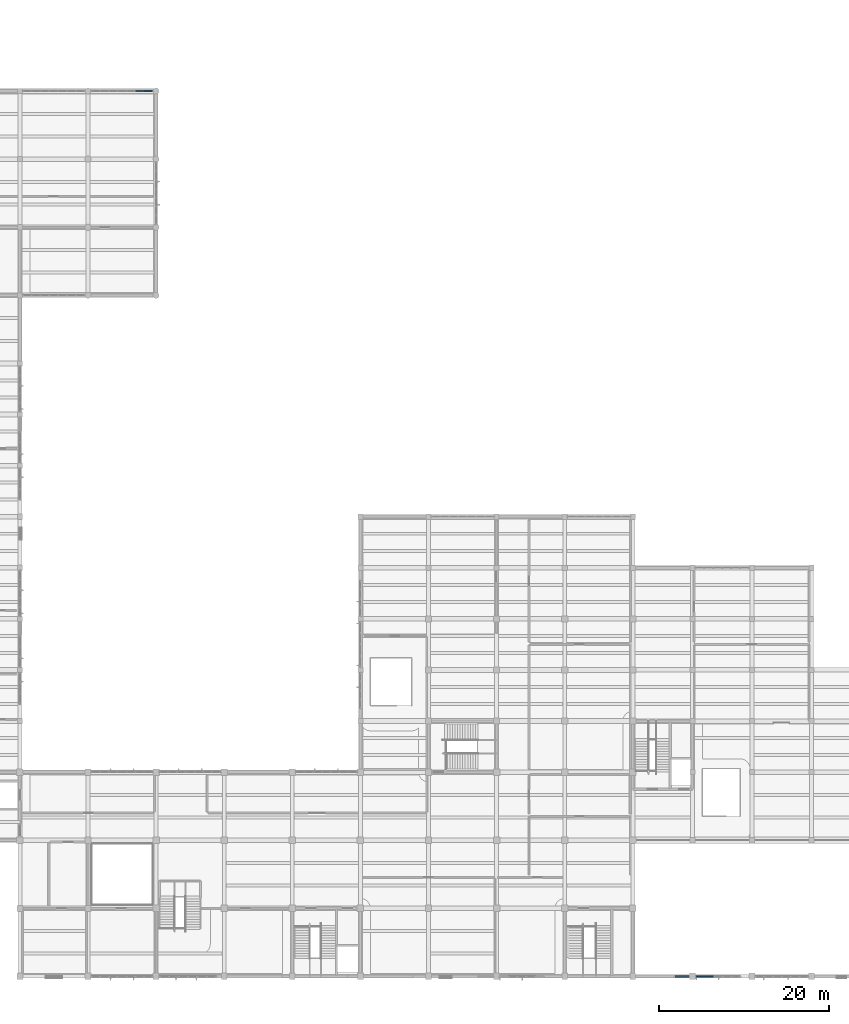
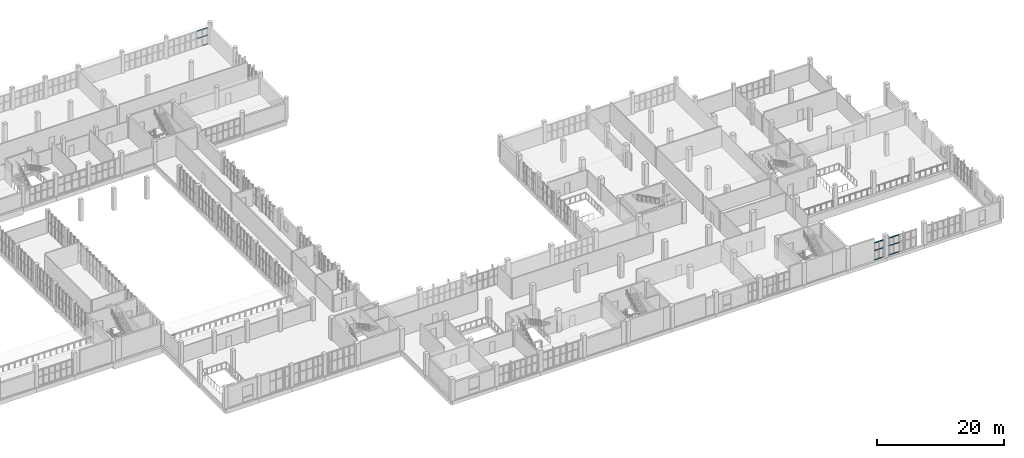
# One storey, part 43 of 85: 17 members, 3 elements without a shape of their own.
"""IFC4 building model written with IfcOpenShell, lengths in metres."""

from ifc_helpers import new_model, si_unit, direction, frame, origin, origin_2d, place, context, subcontext, project, spatial, rectangle, extrude, material, layer, layer_set, material_profile, profile_set, type_object, element, aggregate, save


model = new_model("IFC4")

# Units and contexts
model_context = context("Model", 3, precision=1e-05, world=origin(), true_north=direction((0.0, 1.0)))
body_context = subcontext(model_context, "Body", "Model", "MODEL_VIEW")
ifc_project = project(units=[si_unit("LENGTHUNIT", "METRE"), si_unit("AREAUNIT", "SQUARE_METRE"), si_unit("VOLUMEUNIT", "CUBIC_METRE"), si_unit("PLANEANGLEUNIT", "RADIAN"), si_unit("MASSUNIT", "GRAM", prefix="KILO")], contexts=[model_context])

# Site, building, storey
site_placement = place(None, origin())
site = spatial("IfcSite", under=ifc_project, at=site_placement, CompositionType="ELEMENT")
building_placement = place(site_placement, origin())
building = spatial("IfcBuilding", under=site, at=building_placement, Name="Solvane Community Centre", CompositionType="ELEMENT")
storey_placement = place(building_placement, frame((0.0, 0.0, 5.39990234375)))
storey = spatial("IfcBuildingStorey", under=building, at=storey_placement, Name="L01", CompositionType="ELEMENT", Elevation=5.39990234375)

# Curtain wall, members
ifc_material = material(Name="Anodised bronze aluminium AW-6063 T6", Category="aluminium")
ifc_layer_1 = layer(ifc_material, 0.18994140625)
ifc_layer_set_1 = layer_set([ifc_layer_1], Name="Anodised bronze aluminium AW-6063 T6")
curtain_wall_type_1 = type_object("IfcCurtainWallType", Name="Boulevard Bronze Vision Curtain Wall [52x33dm]", PredefinedType="NOTDEFINED", material=ifc_layer_set_1)
curtain_wall_1_placement = place(storey_placement, origin())
curtain_wall_1 = element("IfcCurtainWall", 1, at=curtain_wall_1_placement, inside=storey, type_object=curtain_wall_type_1, Name="Curtain Wall CW-L01-1526_60-074", PredefinedType="NOTDEFINED")
ifc_material_profile = material_profile(ifc_material, rectangle(XDim=0.14990234375, YDim=0.06005859375, at=origin_2d()), Name="CW-T 60x150")
ifc_profile_set = profile_set([ifc_material_profile], Name="Anodised bronze aluminium AW-6063 T6")
member_type = type_object("IfcMemberType", Name="Boulevard Transom 60x150", PredefinedType="USERDEFINED", material=ifc_profile_set)
member_1_placement = place(storey_placement, frame((149.453125, 6.0, 0.030029296875), z_axis=(-1.0, 0.0, 0.0), x_axis=(0.0, -1.0, 0.0)))
member_1 = element("IfcMember", 2, at=member_1_placement, type_object=member_type, Name="CW02-52x33 transom 4.1", ObjectType="TRANSOM", PredefinedType="USERDEFINED", context=body_context, shape_type="SweptSolid", body=[
    extrude(rectangle(XDim=0.14990234375, YDim=0.06005859375, at=origin_2d()), origin(), (0.0, 0.0, 1.0), 0.984130859375),
])
member_2_placement = place(storey_placement, frame((149.453125, 6.0, 1.822998046875), z_axis=(-1.0, 0.0, 0.0), x_axis=(0.0, -1.0, 0.0)))
member_2 = element("IfcMember", 3, at=member_2_placement, type_object=member_type, Name="CW02-52x33 transom 4.2", ObjectType="TRANSOM", PredefinedType="USERDEFINED", context=body_context, shape_type="SweptSolid", body=[
    extrude(rectangle(XDim=0.14990234375, YDim=0.06005859375, at=origin_2d()), origin(), (0.0, 0.0, 1.0), 0.984130859375),
])
member_3_placement = place(storey_placement, frame((149.453125, 6.0, 3.28515625), z_axis=(-1.0, 0.0, 0.0), x_axis=(0.0, -1.0, 0.0)))
member_3 = element("IfcMember", 4, at=member_3_placement, type_object=member_type, Name="CW02-52x33 transom 4.3", ObjectType="TRANSOM", PredefinedType="USERDEFINED", context=body_context, shape_type="SweptSolid", body=[
    extrude(rectangle(XDim=0.14990234375, YDim=0.06005859375, at=origin_2d()), origin(), (0.0, 0.0, 1.0), 0.984130859375),
])
member_4_placement = place(storey_placement, frame((148.4091796875, 6.0, 0.030029296875), z_axis=(-1.0, 0.0, 0.0), x_axis=(0.0, -1.0, 0.0)))
member_4 = element("IfcMember", 5, at=member_4_placement, type_object=member_type, Name="CW02-52x33 transom 5.1", ObjectType="TRANSOM", PredefinedType="USERDEFINED", context=body_context, shape_type="SweptSolid", body=[
    extrude(rectangle(XDim=0.14990234375, YDim=0.06005859375, at=origin_2d()), origin(), (0.0, 0.0, 1.0), 0.9541015625),
])
member_5_placement = place(storey_placement, frame((148.4091796875, 6.0, 1.822998046875), z_axis=(-1.0, 0.0, 0.0), x_axis=(0.0, -1.0, 0.0)))
member_5 = element("IfcMember", 6, at=member_5_placement, type_object=member_type, Name="CW02-52x33 transom 5.2", ObjectType="TRANSOM", PredefinedType="USERDEFINED", context=body_context, shape_type="SweptSolid", body=[
    extrude(rectangle(XDim=0.14990234375, YDim=0.06005859375, at=origin_2d()), origin(), (0.0, 0.0, 1.0), 0.9541015625),
])
member_6_placement = place(storey_placement, frame((148.4091796875, 6.0, 3.28515625), z_axis=(-1.0, 0.0, 0.0), x_axis=(0.0, -1.0, 0.0)))
member_6 = element("IfcMember", 7, at=member_6_placement, type_object=member_type, Name="CW02-52x33 transom 5.3", ObjectType="TRANSOM", PredefinedType="USERDEFINED", context=body_context, shape_type="SweptSolid", body=[
    extrude(rectangle(XDim=0.14990234375, YDim=0.06005859375, at=origin_2d()), origin(), (0.0, 0.0, 1.0), 0.9541015625),
])
aggregate(curtain_wall_1, [member_1, member_2, member_3, member_4, member_5, member_6])

ifc_layer_2 = layer(ifc_material, 0.18994140625)
ifc_layer_set_2 = layer_set([ifc_layer_2], Name="Anodised bronze aluminium AW-6063 T6")
curtain_wall_type_2 = type_object("IfcCurtainWallType", Name="Boulevard Bronze Vision Curtain Wall [17x33dm]", PredefinedType="NOTDEFINED", material=ifc_layer_set_2)
curtain_wall_2_placement = place(storey_placement, origin())
curtain_wall_2 = element("IfcCurtainWall", 8, at=curtain_wall_2_placement, inside=storey, type_object=curtain_wall_type_2, Name="Curtain Wall CW-L01-1466_60-075", PredefinedType="NOTDEFINED")
member_7_placement = place(storey_placement, frame((146.544921875, 6.0, 0.030029296875), z_axis=(-1.0, 0.0, 0.0), x_axis=(0.0, -1.0, 0.0)))
member_7 = element("IfcMember", 9, at=member_7_placement, type_object=member_type, Name="CW02-17x33 transom 1.1", ObjectType="TRANSOM", PredefinedType="USERDEFINED", context=body_context, shape_type="SweptSolid", body=[
    extrude(rectangle(XDim=0.14990234375, YDim=0.06005859375, at=origin_2d()), origin(), (0.0, 0.0, 1.0), 0.7509765625),
])
member_8_placement = place(storey_placement, frame((146.544921875, 6.0, 1.822998046875), z_axis=(-1.0, 0.0, 0.0), x_axis=(0.0, -1.0, 0.0)))
member_8 = element("IfcMember", 10, at=member_8_placement, type_object=member_type, Name="CW02-17x33 transom 1.2", ObjectType="TRANSOM", PredefinedType="USERDEFINED", context=body_context, shape_type="SweptSolid", body=[
    extrude(rectangle(XDim=0.14990234375, YDim=0.06005859375, at=origin_2d()), origin(), (0.0, 0.0, 1.0), 0.7509765625),
])
member_9_placement = place(storey_placement, frame((146.544921875, 6.0, 3.28515625), z_axis=(-1.0, 0.0, 0.0), x_axis=(0.0, -1.0, 0.0)))
member_9 = element("IfcMember", 11, at=member_9_placement, type_object=member_type, Name="CW02-17x33 transom 1.3", ObjectType="TRANSOM", PredefinedType="USERDEFINED", context=body_context, shape_type="SweptSolid", body=[
    extrude(rectangle(XDim=0.14990234375, YDim=0.06005859375, at=origin_2d()), origin(), (0.0, 0.0, 1.0), 0.7509765625),
])
member_10_placement = place(storey_placement, frame((145.734130859375, 6.0, 0.030029296875), z_axis=(-1.0, 0.0, 0.0), x_axis=(0.0, -1.0, 0.0)))
member_10 = element("IfcMember", 12, at=member_10_placement, type_object=member_type, Name="CW02-17x33 transom 2.1", ObjectType="TRANSOM", PredefinedType="USERDEFINED", context=body_context, shape_type="SweptSolid", body=[
    extrude(rectangle(XDim=0.14990234375, YDim=0.06005859375, at=origin_2d()), origin(), (0.0, 0.0, 1.0), 0.7509765625),
])
member_11_placement = place(storey_placement, frame((145.734130859375, 6.0, 1.822998046875), z_axis=(-1.0, 0.0, 0.0), x_axis=(0.0, -1.0, 0.0)))
member_11 = element("IfcMember", 13, at=member_11_placement, type_object=member_type, Name="CW02-17x33 transom 2.2", ObjectType="TRANSOM", PredefinedType="USERDEFINED", context=body_context, shape_type="SweptSolid", body=[
    extrude(rectangle(XDim=0.14990234375, YDim=0.06005859375, at=origin_2d()), origin(), (0.0, 0.0, 1.0), 0.7509765625),
])
member_12_placement = place(storey_placement, frame((145.734130859375, 6.0, 3.28515625), z_axis=(-1.0, 0.0, 0.0), x_axis=(0.0, -1.0, 0.0)))
member_12 = element("IfcMember", 14, at=member_12_placement, type_object=member_type, Name="CW02-17x33 transom 2.3", ObjectType="TRANSOM", PredefinedType="USERDEFINED", context=body_context, shape_type="SweptSolid", body=[
    extrude(rectangle(XDim=0.14990234375, YDim=0.06005859375, at=origin_2d()), origin(), (0.0, 0.0, 1.0), 0.7509765625),
])
aggregate(curtain_wall_2, [member_7, member_8, member_9, member_10, member_11, member_12])

ifc_layer_3 = layer(ifc_material, 0.18994140625)
ifc_layer_set_3 = layer_set([ifc_layer_3], Name="Anodised bronze aluminium AW-6063 T6")
curtain_wall_type_3 = type_object("IfcCurtainWallType", Name="Boulevard Bronze Vision Curtain Wall [72x32dm]", PredefinedType="NOTDEFINED", material=ifc_layer_set_3)
curtain_wall_3_placement = place(storey_placement, origin())
curtain_wall_3 = element("IfcCurtainWall", 15, at=curtain_wall_3_placement, inside=storey, type_object=curtain_wall_type_3, Name="Curtain Wall CW-L01-764_1100-093", PredefinedType="NOTDEFINED")
member_13_placement = place(storey_placement, frame((81.58349609375, 110.0, 1.7412109375), z_axis=(1.0, 0.0, 0.0), x_axis=(0.0, 1.0, 0.0)))
member_13 = element("IfcMember", 16, at=member_13_placement, type_object=member_type, Name="CW02-72x32 transom 6.2", ObjectType="TRANSOM", PredefinedType="USERDEFINED", context=body_context, shape_type="SweptSolid", body=[
    extrude(rectangle(XDim=0.14990234375, YDim=0.06005859375, at=origin_2d()), origin(), (0.0, 0.0, 1.0), 0.975830078125),
])
member_14_placement = place(storey_placement, frame((81.58349609375, 110.0, 3.135009765625), z_axis=(1.0, 0.0, 0.0), x_axis=(0.0, 1.0, 0.0)))
member_14 = element("IfcMember", 17, at=member_14_placement, type_object=member_type, Name="CW02-72x32 transom 6.3", ObjectType="TRANSOM", PredefinedType="USERDEFINED", context=body_context, shape_type="SweptSolid", body=[
    extrude(rectangle(XDim=0.14990234375, YDim=0.06005859375, at=origin_2d()), origin(), (0.0, 0.0, 1.0), 0.975830078125),
])
member_15_placement = place(storey_placement, frame((82.619384765625, 110.0, 0.030029296875), z_axis=(1.0, 0.0, 0.0), x_axis=(0.0, 1.0, 0.0)))
member_15 = element("IfcMember", 18, at=member_15_placement, type_object=member_type, Name="CW02-72x32 transom 7.1", ObjectType="TRANSOM", PredefinedType="USERDEFINED", context=body_context, shape_type="SweptSolid", body=[
    extrude(rectangle(XDim=0.14990234375, YDim=0.06005859375, at=origin_2d()), origin(), (0.0, 0.0, 1.0), 0.945556640625),
])
member_16_placement = place(storey_placement, frame((82.619384765625, 110.0, 1.7412109375), z_axis=(1.0, 0.0, 0.0), x_axis=(0.0, 1.0, 0.0)))
member_16 = element("IfcMember", 19, at=member_16_placement, type_object=member_type, Name="CW02-72x32 transom 7.2", ObjectType="TRANSOM", PredefinedType="USERDEFINED", context=body_context, shape_type="SweptSolid", body=[
    extrude(rectangle(XDim=0.14990234375, YDim=0.06005859375, at=origin_2d()), origin(), (0.0, 0.0, 1.0), 0.945556640625),
])
member_17_placement = place(storey_placement, frame((82.619384765625, 110.0, 3.135009765625), z_axis=(1.0, 0.0, 0.0), x_axis=(0.0, 1.0, 0.0)))
member_17 = element("IfcMember", 20, at=member_17_placement, type_object=member_type, Name="CW02-72x32 transom 7.3", ObjectType="TRANSOM", PredefinedType="USERDEFINED", context=body_context, shape_type="SweptSolid", body=[
    extrude(rectangle(XDim=0.14990234375, YDim=0.06005859375, at=origin_2d()), origin(), (0.0, 0.0, 1.0), 0.945556640625),
])
aggregate(curtain_wall_3, [member_13, member_14, member_15, member_16, member_17])

save(model, "model.ifc")
